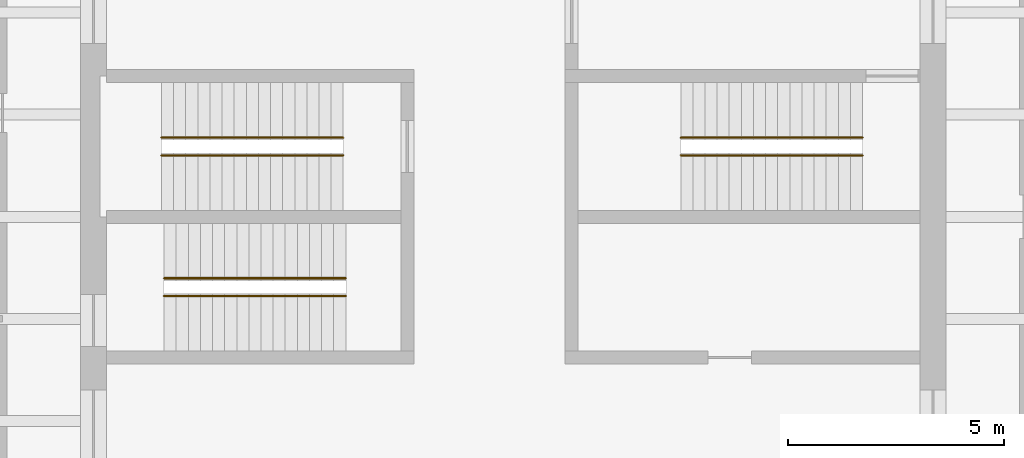
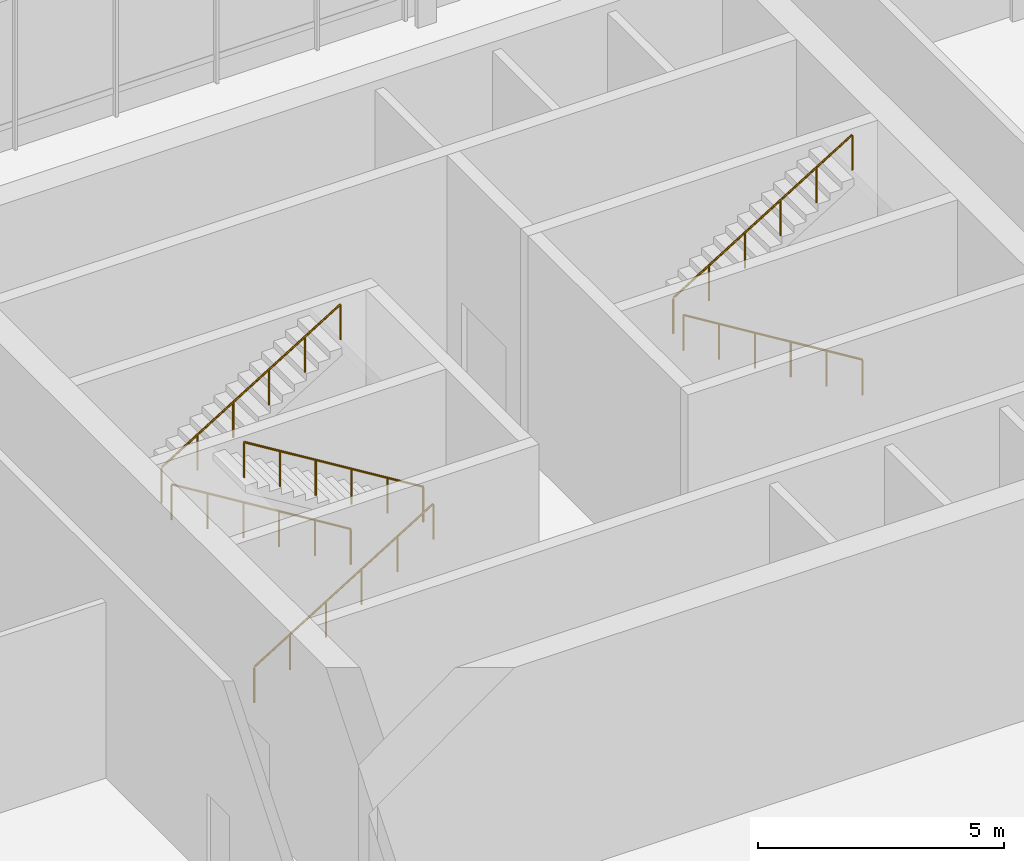
# One storey, part 17 of 17: 6 railings.
"""IFC4 building model written with IfcOpenShell, lengths in metres."""

from ifc_helpers import new_model, si_unit, direction, frame, origin, origin_2d, place, context, subcontext, project, spatial, circle, extrude, material, type_object, element, save


model = new_model("IFC4")

# Units and contexts
model_context = context("Model", 3, precision=1e-05, world=origin(), true_north=direction((0.0, 1.0)))
body_context = subcontext(model_context, "Body", "Model", "MODEL_VIEW")
ifc_project = project(units=[si_unit("LENGTHUNIT", "METRE"), si_unit("AREAUNIT", "SQUARE_METRE"), si_unit("VOLUMEUNIT", "CUBIC_METRE"), si_unit("PLANEANGLEUNIT", "RADIAN"), si_unit("MASSUNIT", "GRAM", prefix="KILO")], contexts=[model_context])

# Site, building, storey
site_placement = place(None, origin())
site = spatial("IfcSite", under=ifc_project, at=site_placement, CompositionType="ELEMENT")
building_placement = place(site_placement, origin())
building = spatial("IfcBuilding", under=site, at=building_placement, Name="Turquesa Mirador Hotel Tower", CompositionType="ELEMENT")
storey_placement = place(building_placement, frame((0.0, 0.0, 266.699951171875)))
storey = spatial("IfcBuildingStorey", under=building, at=storey_placement, Name="L72", CompositionType="ELEMENT", Elevation=266.699951171875)

# Railings
ifc_material = material(Name="Painted steel handrail", Category="steel")
railing_type = type_object("IfcRailingType", Name="HANDRAIL 900 STEEL", PredefinedType="HANDRAIL", material=ifc_material)
railing_1_placement = place(storey_placement, frame((51.070068359375, 46.419921875, 0.171875)))
element("IfcRailing", 1, at=railing_1_placement, inside=storey, type_object=railing_type, Name="Handrail ST1", PredefinedType="HANDRAIL", context=body_context, shape_type="SweptSolid", body=[
    extrude(circle(Radius=0.02392578125, at=origin_2d()), frame((0.0, 0.0, 0.8759765625), z_axis=(-0.852242915053, 0.0, 0.523146264196), x_axis=(0.0, -1.0, 0.0)), (0.0, 0.0, 1.0), 4.92822265625),
    extrude(circle(Radius=0.02099609375, at=origin_2d()), origin(), (0.0, 0.0, 1.0), 0.851806640625),
    extrude(circle(Radius=0.02099609375, at=origin_2d()), frame((-0.840087890625, 0.0, 0.515625)), (0.0, 0.0, 1.0), 0.851806640625),
    extrude(circle(Radius=0.02099609375, at=origin_2d()), frame((-1.679931640625, 0.0, 1.03125)), (0.0, 0.0, 1.0), 0.851806640625),
    extrude(circle(Radius=0.02099609375, at=origin_2d()), frame((-2.52001953125, 0.0, 1.546875)), (0.0, 0.0, 1.0), 0.851806640625),
    extrude(circle(Radius=0.02099609375, at=origin_2d()), frame((-3.35986328125, 0.0, 2.0625)), (0.0, 0.0, 1.0), 0.851806640625),
    extrude(circle(Radius=0.02099609375, at=origin_2d()), frame((-4.199951171875, 0.0, 2.578125)), (0.0, 0.0, 1.0), 0.851806640625),
])
for number, where, name in (
    (2, (46.8701171875, 46.830078125, 2.921875), "Handrail ST1"),
    (3, (46.929931640625, 43.169921875, 0.171875), "Handrail ST2"),
):
    element("IfcRailing", number, at=place(storey_placement, frame(where)), inside=storey, type_object=railing_type, Name=name, PredefinedType="HANDRAIL", context=body_context, shape_type="SweptSolid", body=[
        extrude(circle(Radius=0.02392578125, at=origin_2d()), frame((0.0, 0.0, 0.8759765625), z_axis=(0.852242915053, 0.0, 0.523146264196), x_axis=(0.0, 1.0, 0.0)), (0.0, 0.0, 1.0), 4.92822265625),
        extrude(circle(Radius=0.02099609375, at=origin_2d()), origin(), (0.0, 0.0, 1.0), 0.851806640625),
        extrude(circle(Radius=0.02099609375, at=origin_2d()), frame((0.840087890625, 0.0, 0.515625)), (0.0, 0.0, 1.0), 0.851806640625),
        extrude(circle(Radius=0.02099609375, at=origin_2d()), frame((1.679931640625, 0.0, 1.03125)), (0.0, 0.0, 1.0), 0.851806640625),
        extrude(circle(Radius=0.02099609375, at=origin_2d()), frame((2.52001953125, 0.0, 1.546875)), (0.0, 0.0, 1.0), 0.851806640625),
        extrude(circle(Radius=0.02099609375, at=origin_2d()), frame((3.35986328125, 0.0, 2.0625)), (0.0, 0.0, 1.0), 0.851806640625),
        extrude(circle(Radius=0.02099609375, at=origin_2d()), frame((4.199951171875, 0.0, 2.578125)), (0.0, 0.0, 1.0), 0.851806640625),
    ])
for number, where, name in (
    (4, (51.1298828125, 43.580078125, 2.921875), "Handrail ST2"),
    (5, (63.070068359375, 46.419921875, 0.171875), "Handrail ST3"),
):
    element("IfcRailing", number, at=place(storey_placement, frame(where)), inside=storey, type_object=railing_type, Name=name, PredefinedType="HANDRAIL", context=body_context, shape_type="SweptSolid", body=[
        extrude(circle(Radius=0.02392578125, at=origin_2d()), frame((0.0, 0.0, 0.8759765625), z_axis=(-0.852242915053, 0.0, 0.523146264196), x_axis=(0.0, -1.0, 0.0)), (0.0, 0.0, 1.0), 4.92822265625),
        extrude(circle(Radius=0.02099609375, at=origin_2d()), origin(), (0.0, 0.0, 1.0), 0.851806640625),
        extrude(circle(Radius=0.02099609375, at=origin_2d()), frame((-0.840087890625, 0.0, 0.515625)), (0.0, 0.0, 1.0), 0.851806640625),
        extrude(circle(Radius=0.02099609375, at=origin_2d()), frame((-1.679931640625, 0.0, 1.03125)), (0.0, 0.0, 1.0), 0.851806640625),
        extrude(circle(Radius=0.02099609375, at=origin_2d()), frame((-2.52001953125, 0.0, 1.546875)), (0.0, 0.0, 1.0), 0.851806640625),
        extrude(circle(Radius=0.02099609375, at=origin_2d()), frame((-3.35986328125, 0.0, 2.0625)), (0.0, 0.0, 1.0), 0.851806640625),
        extrude(circle(Radius=0.02099609375, at=origin_2d()), frame((-4.199951171875, 0.0, 2.578125)), (0.0, 0.0, 1.0), 0.851806640625),
    ])
railing_2_placement = place(storey_placement, frame((58.8701171875, 46.830078125, 2.921875)))
element("IfcRailing", 6, at=railing_2_placement, inside=storey, type_object=railing_type, Name="Handrail ST3", PredefinedType="HANDRAIL", context=body_context, shape_type="SweptSolid", body=[
    extrude(circle(Radius=0.02392578125, at=origin_2d()), frame((0.0, 0.0, 0.8759765625), z_axis=(0.852242915053, 0.0, 0.523146264196), x_axis=(0.0, 1.0, 0.0)), (0.0, 0.0, 1.0), 4.92822265625),
    extrude(circle(Radius=0.02099609375, at=origin_2d()), origin(), (0.0, 0.0, 1.0), 0.851806640625),
    extrude(circle(Radius=0.02099609375, at=origin_2d()), frame((0.840087890625, 0.0, 0.515625)), (0.0, 0.0, 1.0), 0.851806640625),
    extrude(circle(Radius=0.02099609375, at=origin_2d()), frame((1.679931640625, 0.0, 1.03125)), (0.0, 0.0, 1.0), 0.851806640625),
    extrude(circle(Radius=0.02099609375, at=origin_2d()), frame((2.52001953125, 0.0, 1.546875)), (0.0, 0.0, 1.0), 0.851806640625),
    extrude(circle(Radius=0.02099609375, at=origin_2d()), frame((3.35986328125, 0.0, 2.0625)), (0.0, 0.0, 1.0), 0.851806640625),
    extrude(circle(Radius=0.02099609375, at=origin_2d()), frame((4.199951171875, 0.0, 2.578125)), (0.0, 0.0, 1.0), 0.851806640625),
])

save(model, "model.ifc")
